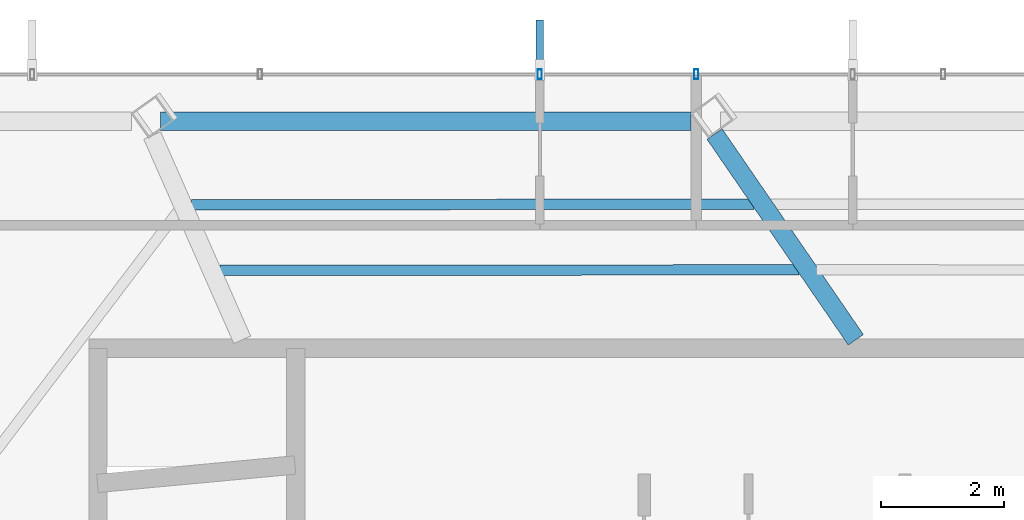
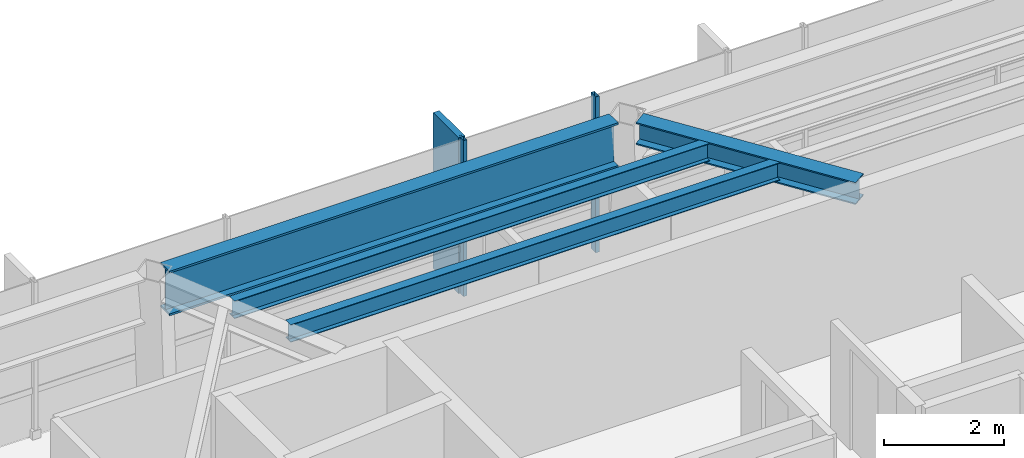
# One storey, part 13 of 26: 4 beams, 3 members, 1 element without a shape of its own.
"""IFC4 building model written with IfcOpenShell, lengths in metres."""

from ifc_helpers import new_model, si_unit, direction, frame, origin, origin_2d, place, context, subcontext, project, spatial, rectangle, hollow_rectangle, i_section, extrude, material, layer, layer_set, material_profile, profile_set, type_object, element, aggregate, save


model = new_model("IFC4")

# Units and contexts
model_context = context("Model", 3, precision=1e-05, world=origin(), true_north=direction((0.0, 1.0)))
body_context = subcontext(model_context, "Body", "Model", "MODEL_VIEW")
ifc_project = project(units=[si_unit("LENGTHUNIT", "METRE"), si_unit("AREAUNIT", "SQUARE_METRE"), si_unit("VOLUMEUNIT", "CUBIC_METRE"), si_unit("PLANEANGLEUNIT", "RADIAN"), si_unit("MASSUNIT", "GRAM", prefix="KILO")], contexts=[model_context])

# Site, building, storey
site_placement = place(None, origin())
site = spatial("IfcSite", under=ifc_project, at=site_placement, CompositionType="ELEMENT")
building_placement = place(site_placement, origin())
building = spatial("IfcBuilding", under=site, at=building_placement, Name="Zarrinselat Tower", CompositionType="ELEMENT")
storey_placement = place(building_placement, frame((0.0, 0.0, 265.199951171875)))
storey = spatial("IfcBuildingStorey", under=building, at=storey_placement, Name="L67", CompositionType="ELEMENT", Elevation=265.199951171875)

# Beams
ifc_material_1 = material(Name="Steel S355J2", Category="steel")
ifc_material_profile_1 = material_profile(ifc_material_1, i_section(OverallWidth=0.300048828125, OverallDepth=0.449951171875, WebThickness=0.013916015625, FlangeThickness=0.02587890625, at=origin_2d()), Name="HEB 450")
ifc_profile_set_1 = profile_set([ifc_material_profile_1], Name="Steel S355J2")
beam_type_1 = type_object("IfcBeamType", Name="BM-HEB450", PredefinedType="BEAM", material=ifc_profile_set_1)
beam_1_placement = place(storey_placement, frame((38.697998046875, 46.892333984375, 2.955078125), z_axis=(0.566077752781, -0.824351853159, 0.0), x_axis=(0.824351853159, 0.566077752781, 0.0)))
element("IfcBeam", 1, at=beam_1_placement, inside=storey, type_object=beam_type_1, Name="L67 Radial Primary Girder RG03", PredefinedType="BEAM", context=body_context, shape_type="SweptSolid", body=[
    extrude(i_section(OverallWidth=0.300048828125, OverallDepth=0.449951171875, WebThickness=0.013916015625, FlangeThickness=0.02587890625, at=origin_2d()), origin(), (0.0, 0.0, 1.0), 4.066650390625),
])
ifc_material_2 = material(Name="Steel S460M", Category="steel")
ifc_material_profile_2 = material_profile(ifc_material_2, i_section(OverallWidth=0.302001953125, OverallDepth=0.909912109375, WebThickness=0.02099609375, FlangeThickness=0.0400390625, at=origin_2d()), Name="HEM 900")
ifc_profile_set_2 = profile_set([ifc_material_profile_2], Name="Steel S460M")
beam_type_2 = type_object("IfcBeamType", Name="BM-HEM900", PredefinedType="BEAM", material=ifc_profile_set_2)
beam_2_placement = place(storey_placement, frame((29.669189453125, 47.10009765625, 2.72509765625), z_axis=(1.0, 0.0, 0.0), x_axis=(0.0, 1.0, 0.0)))
element("IfcBeam", 2, at=beam_2_placement, inside=storey, type_object=beam_type_2, Name="L67 Perimeter Spandrel Girder SP03", PredefinedType="BEAM", context=body_context, shape_type="SweptSolid", body=[
    extrude(i_section(OverallWidth=0.302001953125, OverallDepth=0.909912109375, WebThickness=0.02099609375, FlangeThickness=0.0400390625, at=origin_2d()), origin(), (0.0, 0.0, 1.0), 8.648193359375),
])
ifc_material_3 = material(Name="Steel S355J2", Category="steel")
ifc_material_profile_3 = material_profile(ifc_material_3, i_section(OverallWidth=0.169921875, OverallDepth=0.360107421875, WebThickness=0.008056640625, FlangeThickness=0.0126953125, at=origin_2d()), Name="IPE 360")
ifc_profile_set_3 = profile_set([ifc_material_profile_3], Name="Steel S355J2")
beam_type_3 = type_object("IfcBeamType", Name="BM-IPE360", PredefinedType="JOIST", material=ifc_profile_set_3)
beam_3_placement = place(storey_placement, frame((30.171630859375, 45.737548828125, 3.0), z_axis=(0.999998723885, 0.001597569652, 0.0), x_axis=(-0.001597569652, 0.999998723885, 0.0)))
element("IfcBeam", 3, at=beam_3_placement, inside=storey, type_object=beam_type_3, Name="L67 Composite Floor Joist 8-1", PredefinedType="JOIST", context=body_context, shape_type="SweptSolid", body=[
    extrude(i_section(OverallWidth=0.169921875, OverallDepth=0.360107421875, WebThickness=0.008056640625, FlangeThickness=0.0126953125, at=origin_2d()), origin(), (0.0, 0.0, 1.0), 9.169189453125),
])
beam_4_placement = place(storey_placement, frame((30.64111328125, 44.672119140625, 3.0), z_axis=(0.999999678359, 0.000802048848, 0.0), x_axis=(-0.000802048848, 0.999999678359, 0.0)))
element("IfcBeam", 4, at=beam_4_placement, inside=storey, type_object=beam_type_3, Name="L67 Composite Floor Joist 8-2", PredefinedType="JOIST", context=body_context, shape_type="SweptSolid", body=[
    extrude(i_section(OverallWidth=0.169921875, OverallDepth=0.360107421875, WebThickness=0.008056640625, FlangeThickness=0.0126953125, at=origin_2d()), origin(), (0.0, 0.0, 1.0), 9.436279296875),
])

# Curtain wall, members
ifc_material_4 = material(Name="Extruded Aluminium Alloy EN AW-6063 T6", Category="aluminium")
ifc_layer = layer(ifc_material_4, 0.169921875)
ifc_layer_set = layer_set([ifc_layer], Name="Extruded Aluminium Alloy EN AW-6063 T6")
curtain_wall_type = type_object("IfcCurtainWallType", Name="CWS-RES", PredefinedType="NOTDEFINED", material=ifc_layer_set)
curtain_wall_placement = place(storey_placement, origin())
curtain_wall = element("IfcCurtainWall", 5, at=curtain_wall_placement, inside=storey, type_object=curtain_wall_type, Name="L67 Unitised Curtain Wall CW-L67-E01", PredefinedType="NOTDEFINED")
ifc_material_5 = material(Name="Extruded Aluminium Alloy EN AW-6063 T6", Category="aluminium")
ifc_material_profile_4 = material_profile(ifc_material_5, hollow_rectangle(XDim=0.070068359375, YDim=0.159912109375, WallThickness=0.00390625, at=origin_2d()), Name="RHS 160x70x4")
ifc_profile_set_4 = profile_set([ifc_material_profile_4], Name="Extruded Aluminium Alloy EN AW-6063 T6")
member_type_1 = type_object("IfcMemberType", Name="MEM-CW-MUL2", PredefinedType="MULLION", material=ifc_profile_set_4)
member_1_placement = place(storey_placement, frame((38.39990234375, 47.86669921875, 0.0), z_axis=(0.0, 0.0, 1.0), x_axis=(-1.0, 0.0, 0.0)))
member_1 = element("IfcMember", 6, at=member_1_placement, type_object=member_type_1, Name="CW-L67-E01 Mullion 6", PredefinedType="MULLION", context=body_context, shape_type="SweptSolid", body=[
    extrude(hollow_rectangle(XDim=0.070068359375, YDim=0.159912109375, WallThickness=0.00390625, at=origin_2d()), origin(), (0.0, 0.0, 1.0), 3.179931640625),
])
member_2_placement = place(storey_placement, frame((35.85009765625, 47.86669921875, 0.0), z_axis=(0.0, 0.0, 1.0), x_axis=(-1.0, 0.0, 0.0)))
member_2 = element("IfcMember", 7, at=member_2_placement, type_object=member_type_1, Name="CW-L67-E01 Mullion 7", PredefinedType="MULLION", context=body_context, shape_type="SweptSolid", body=[
    extrude(hollow_rectangle(XDim=0.070068359375, YDim=0.159912109375, WallThickness=0.00390625, at=origin_2d()), origin(), (0.0, 0.0, 1.0), 3.179931640625),
])
ifc_material_6 = material(Name="Honed Cream Travertine Stone", Category="masonry")
ifc_material_profile_5 = material_profile(ifc_material_6, rectangle(XDim=0.1201171875, YDim=0.85009765625, at=origin_2d()), Name="FIN 850x120")
ifc_profile_set_5 = profile_set([ifc_material_profile_5], Name="Honed Cream Travertine Stone")
member_type_2 = type_object("IfcMemberType", Name="MEM-STONE-FIN", PredefinedType="USERDEFINED", material=ifc_profile_set_5)
member_3_placement = place(storey_placement, frame((35.85009765625, 48.32666015625, 0.0), z_axis=(0.0, 0.0, 1.0), x_axis=(1.0, 0.0, 0.0)))
member_3 = element("IfcMember", 8, at=member_3_placement, type_object=member_type_2, Name="L67 Stone Shading Fin CW-L67-E01-07", ObjectType="FIN", PredefinedType="USERDEFINED", context=body_context, shape_type="SweptSolid", body=[
    extrude(rectangle(XDim=0.1201171875, YDim=0.85009765625, at=origin_2d()), origin(), (0.0, 0.0, 1.0), 3.179931640625),
])
aggregate(curtain_wall, [member_1, member_2, member_3])

save(model, "model.ifc")
